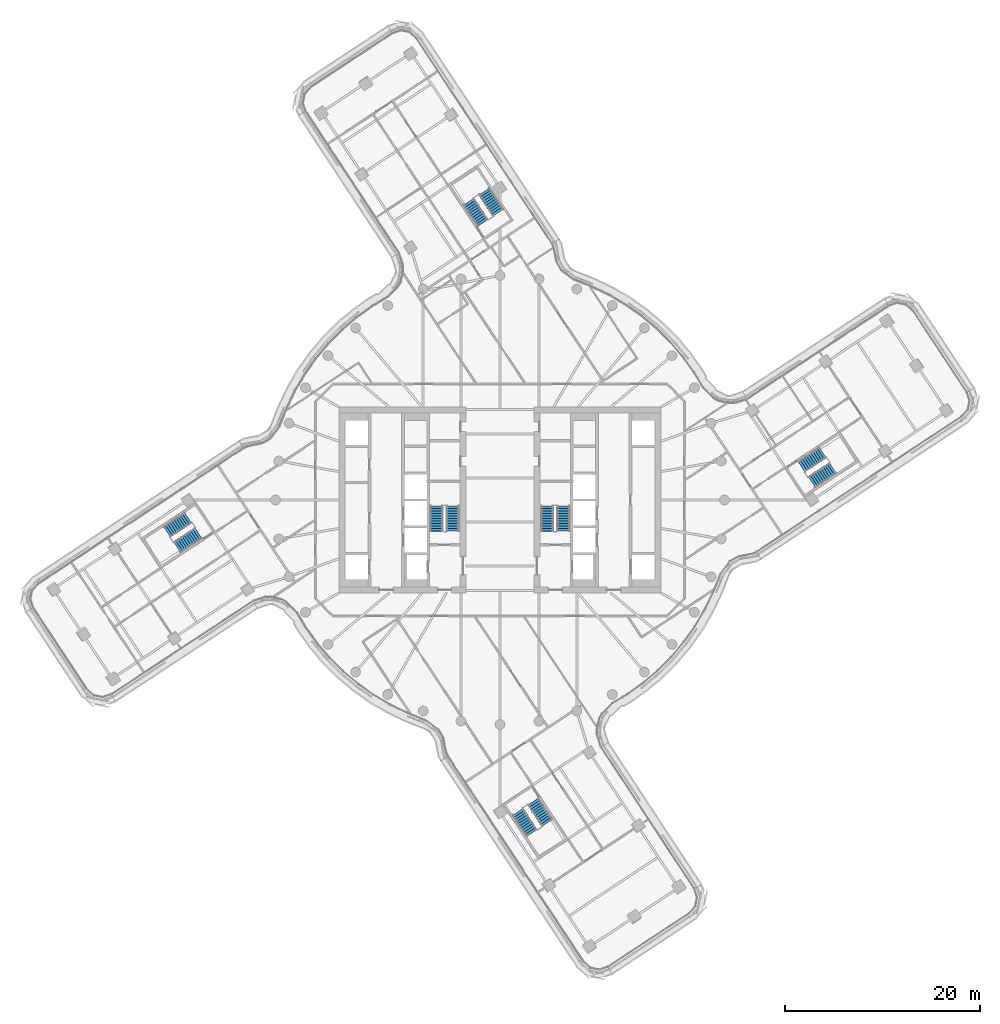
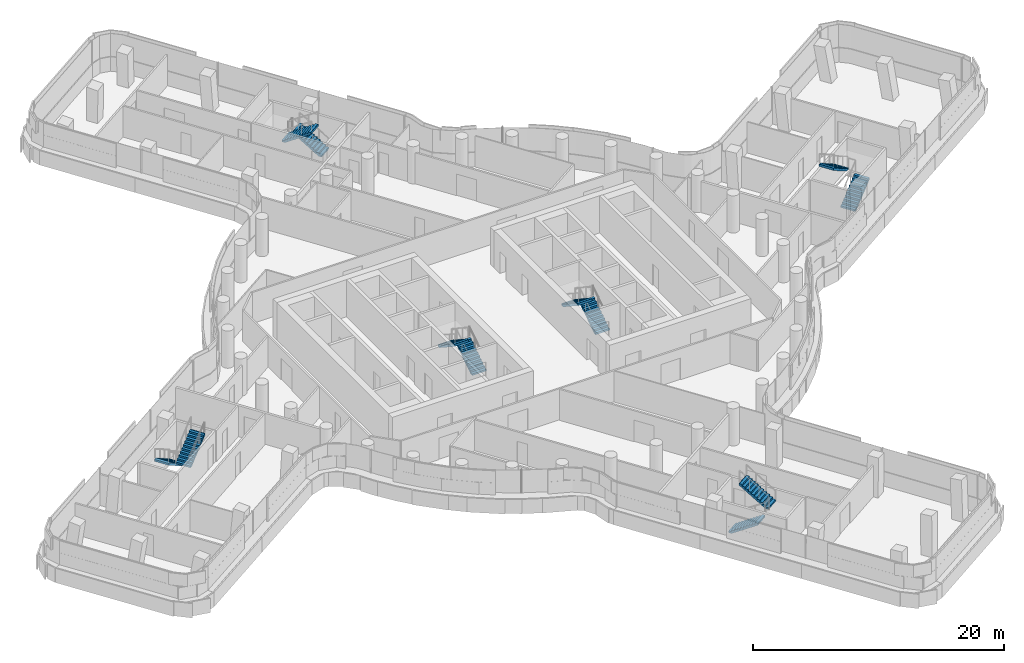
# One storey, part 27 of 35: 12 stair flights, 6 elements without a shape of their own.
"""IFC4 building model written with IfcOpenShell, lengths in metres."""

from ifc_helpers import new_model, si_unit, direction, frame, origin, place, context, subcontext, project, spatial, polyline, outline, extrude, material, type_object, element, aggregate, save


model = new_model("IFC4")

# Units and contexts
model_context = context("Model", 3, precision=1e-05, world=origin(), true_north=direction((0.0, 1.0)))
body_context = subcontext(model_context, "Body", "Model", "MODEL_VIEW")
ifc_project = project(units=[si_unit("LENGTHUNIT", "METRE"), si_unit("AREAUNIT", "SQUARE_METRE"), si_unit("VOLUMEUNIT", "CUBIC_METRE"), si_unit("PLANEANGLEUNIT", "RADIAN"), si_unit("MASSUNIT", "GRAM", prefix="KILO")], contexts=[model_context])

# Site, building, storey
site_placement = place(None, origin())
site = spatial("IfcSite", under=ifc_project, at=site_placement, CompositionType="ELEMENT")
building_placement = place(site_placement, origin())
building = spatial("IfcBuilding", under=site, at=building_placement, Name="Tamarind Cross Interchange Tower", CompositionType="ELEMENT")
storey_placement = place(building_placement, frame((0.0, 0.0, 155.5)))
storey = spatial("IfcBuildingStorey", under=building, at=storey_placement, Name="L38", CompositionType="ELEMENT", Elevation=155.5)

# Stair, stair flights
ifc_material_1 = material(Name="Exit stair")
stair_type = type_object("IfcStairType", Name="Exit stair", PredefinedType="HALF_TURN_STAIR", material=ifc_material_1)
stair_1_placement = place(storey_placement, origin())
stair_1 = element("IfcStair", 1, at=stair_1_placement, inside=storey, type_object=stair_type, Name="L38 exit stair ST1", PredefinedType="HALF_TURN_STAIR")
ifc_material_2 = material(Name="Exit stair flight")
stair_flight_type = type_object("IfcStairFlightType", Name="Exit stair flight", PredefinedType="STRAIGHT", material=ifc_material_2)
stair_flight_1_placement = place(storey_placement, frame((-4.85009765625, -3.199951171875, 0.0), z_axis=(0.0, 0.0, 1.0), x_axis=(0.0, 1.0, 0.0)))
stair_flight_1 = element("IfcStairFlight", 2, at=stair_flight_1_placement, type_object=stair_flight_type, Name="ST1 flight 1", NumberOfRisers=11, NumberOfTreads=10, PredefinedType="STRAIGHT", RiserHeight=0.170454545, TreadLength=0.26, context=body_context, shape_type="SweptSolid", body=[
    extrude(outline(polyline([(0.0, 0.0), (0.0, 0.17041015625), (0.260009765625, 0.17041015625), (0.260009765625, 0.3408203125), (0.52001953125, 0.3408203125), (0.52001953125, 0.511474609375), (0.780029296875, 0.511474609375), (0.780029296875, 0.681884765625), (1.0400390625, 0.681884765625), (1.0400390625, 0.852294921875), (1.300048828125, 0.852294921875), (1.300048828125, 1.022705078125), (1.56005859375, 1.022705078125), (1.56005859375, 1.193115234375), (1.820068359375, 1.193115234375), (1.820068359375, 1.363525390625), (2.080078125, 1.363525390625), (2.080078125, 1.5341796875), (2.340087890625, 1.5341796875), (2.340087890625, 1.70458984375), (2.60009765625, 1.70458984375), (2.60009765625, 1.875), (2.60009765625, 1.525390625), (0.2734375, 0.0), (0.0, 0.0)])), frame((0.0, 0.64990234375, 0.0), z_axis=(0.0, -1.0, 0.0), x_axis=(1.0, 0.0, 0.0)), (0.0, 0.0, 1.0), 1.300048828125),
])
stair_flight_2_placement = place(storey_placement, frame((-6.5, -0.60009765625, 1.875), z_axis=(0.0, 0.0, 1.0), x_axis=(0.0, -1.0, 0.0)))
stair_flight_2 = element("IfcStairFlight", 3, at=stair_flight_2_placement, type_object=stair_flight_type, Name="ST1 flight 2", NumberOfRisers=11, NumberOfTreads=10, PredefinedType="STRAIGHT", RiserHeight=0.170454545, TreadLength=0.26, context=body_context, shape_type="SweptSolid", body=[
    extrude(outline(polyline([(0.0, 0.0), (0.0, 0.17041015625), (0.260009765625, 0.17041015625), (0.260009765625, 0.3408203125), (0.52001953125, 0.3408203125), (0.52001953125, 0.511474609375), (0.780029296875, 0.511474609375), (0.780029296875, 0.681884765625), (1.0400390625, 0.681884765625), (1.0400390625, 0.852294921875), (1.300048828125, 0.852294921875), (1.300048828125, 1.022705078125), (1.56005859375, 1.022705078125), (1.56005859375, 1.193115234375), (1.820068359375, 1.193115234375), (1.820068359375, 1.363525390625), (2.080078125, 1.363525390625), (2.080078125, 1.5341796875), (2.340087890625, 1.5341796875), (2.340087890625, 1.70458984375), (2.60009765625, 1.70458984375), (2.60009765625, 1.7548828125), (2.612060546875, 1.7548828125), (2.612060546875, 1.533203125), (0.2734375, 0.0), (0.0, 0.0)])), frame((0.0, 0.64990234375, 0.0), z_axis=(0.0, -1.0, 0.0), x_axis=(1.0, 0.0, 0.0)), (0.0, 0.0, 1.0), 1.300048828125),
])
aggregate(stair_1, [stair_flight_1, stair_flight_2])

stair_2_placement = place(storey_placement, origin())
stair_2 = element("IfcStair", 4, at=stair_2_placement, inside=storey, type_object=stair_type, Name="L38 exit stair ST2", PredefinedType="HALF_TURN_STAIR")
stair_flight_3_placement = place(storey_placement, frame((6.5, -3.199951171875, 0.0), z_axis=(0.0, 0.0, 1.0), x_axis=(0.0, 1.0, 0.0)))
stair_flight_3 = element("IfcStairFlight", 5, at=stair_flight_3_placement, type_object=stair_flight_type, Name="ST2 flight 1", NumberOfRisers=11, NumberOfTreads=10, PredefinedType="STRAIGHT", RiserHeight=0.170454545, TreadLength=0.26, context=body_context, shape_type="SweptSolid", body=[
    extrude(outline(polyline([(0.0, 0.0), (0.0, 0.17041015625), (0.260009765625, 0.17041015625), (0.260009765625, 0.3408203125), (0.52001953125, 0.3408203125), (0.52001953125, 0.511474609375), (0.780029296875, 0.511474609375), (0.780029296875, 0.681884765625), (1.0400390625, 0.681884765625), (1.0400390625, 0.852294921875), (1.300048828125, 0.852294921875), (1.300048828125, 1.022705078125), (1.56005859375, 1.022705078125), (1.56005859375, 1.193115234375), (1.820068359375, 1.193115234375), (1.820068359375, 1.363525390625), (2.080078125, 1.363525390625), (2.080078125, 1.5341796875), (2.340087890625, 1.5341796875), (2.340087890625, 1.70458984375), (2.60009765625, 1.70458984375), (2.60009765625, 1.875), (2.60009765625, 1.525390625), (0.2734375, 0.0), (0.0, 0.0)])), frame((0.0, 0.64990234375, 0.0), z_axis=(0.0, -1.0, 0.0), x_axis=(1.0, 0.0, 0.0)), (0.0, 0.0, 1.0), 1.300048828125),
])
stair_flight_4_placement = place(storey_placement, frame((4.85009765625, -0.60009765625, 1.875), z_axis=(0.0, 0.0, 1.0), x_axis=(0.0, -1.0, 0.0)))
stair_flight_4 = element("IfcStairFlight", 6, at=stair_flight_4_placement, type_object=stair_flight_type, Name="ST2 flight 2", NumberOfRisers=11, NumberOfTreads=10, PredefinedType="STRAIGHT", RiserHeight=0.170454545, TreadLength=0.26, context=body_context, shape_type="SweptSolid", body=[
    extrude(outline(polyline([(0.0, 0.0), (0.0, 0.17041015625), (0.260009765625, 0.17041015625), (0.260009765625, 0.3408203125), (0.52001953125, 0.3408203125), (0.52001953125, 0.511474609375), (0.780029296875, 0.511474609375), (0.780029296875, 0.681884765625), (1.0400390625, 0.681884765625), (1.0400390625, 0.852294921875), (1.300048828125, 0.852294921875), (1.300048828125, 1.022705078125), (1.56005859375, 1.022705078125), (1.56005859375, 1.193115234375), (1.820068359375, 1.193115234375), (1.820068359375, 1.363525390625), (2.080078125, 1.363525390625), (2.080078125, 1.5341796875), (2.340087890625, 1.5341796875), (2.340087890625, 1.70458984375), (2.60009765625, 1.70458984375), (2.60009765625, 1.7548828125), (2.612060546875, 1.7548828125), (2.612060546875, 1.533203125), (0.2734375, 0.0), (0.0, 0.0)])), frame((0.0, 0.64990234375, 0.0), z_axis=(0.0, -1.0, 0.0), x_axis=(1.0, 0.0, 0.0)), (0.0, 0.0, 1.0), 1.300048828125),
])
aggregate(stair_2, [stair_flight_3, stair_flight_4])

stair_3_placement = place(storey_placement, origin())
stair_3 = element("IfcStair", 7, at=stair_3_placement, inside=storey, type_object=stair_type, Name="L38 exit stair ST3", PredefinedType="HALF_TURN_STAIR")
stair_flight_5_placement = place(storey_placement, frame((31.9375, 1.82763671875, 0.0), z_axis=(0.0, 0.0, 1.0), x_axis=(0.834524900963, 0.550970225759, 0.0)))
stair_flight_5 = element("IfcStairFlight", 8, at=stair_flight_5_placement, type_object=stair_flight_type, Name="ST3 flight 1", NumberOfRisers=11, NumberOfTreads=10, PredefinedType="STRAIGHT", RiserHeight=0.170454545, TreadLength=0.26, context=body_context, shape_type="SweptSolid", body=[
    extrude(outline(polyline([(0.0, 0.0), (0.0, 0.17041015625), (0.260009765625, 0.17041015625), (0.260009765625, 0.3408203125), (0.52001953125, 0.3408203125), (0.52001953125, 0.511474609375), (0.780029296875, 0.511474609375), (0.780029296875, 0.681884765625), (1.0400390625, 0.681884765625), (1.0400390625, 0.852294921875), (1.300048828125, 0.852294921875), (1.300048828125, 1.022705078125), (1.56005859375, 1.022705078125), (1.56005859375, 1.193115234375), (1.820068359375, 1.193115234375), (1.820068359375, 1.363525390625), (2.080078125, 1.363525390625), (2.080078125, 1.5341796875), (2.340087890625, 1.5341796875), (2.340087890625, 1.70458984375), (2.60009765625, 1.70458984375), (2.60009765625, 1.875), (2.60009765625, 1.525390625), (0.2734375, 0.0), (0.0, 0.0)])), frame((0.0, 0.64990234375, 0.0), z_axis=(0.0, -1.0, 0.0), x_axis=(1.0, 0.0, 0.0)), (0.0, 0.0, 1.0), 1.300048828125),
])
stair_flight_6_placement = place(storey_placement, frame((33.060302734375, 4.845703125, 1.875), z_axis=(0.0, 0.0, 1.0), x_axis=(-0.834524900963, -0.550970225759, 0.0)))
stair_flight_6 = element("IfcStairFlight", 9, at=stair_flight_6_placement, type_object=stair_flight_type, Name="ST3 flight 2", NumberOfRisers=11, NumberOfTreads=10, PredefinedType="STRAIGHT", RiserHeight=0.170454545, TreadLength=0.26, context=body_context, shape_type="SweptSolid", body=[
    extrude(outline(polyline([(0.0, 0.0), (0.0, 0.17041015625), (0.260009765625, 0.17041015625), (0.260009765625, 0.3408203125), (0.52001953125, 0.3408203125), (0.52001953125, 0.511474609375), (0.780029296875, 0.511474609375), (0.780029296875, 0.681884765625), (1.0400390625, 0.681884765625), (1.0400390625, 0.852294921875), (1.300048828125, 0.852294921875), (1.300048828125, 1.022705078125), (1.56005859375, 1.022705078125), (1.56005859375, 1.193115234375), (1.820068359375, 1.193115234375), (1.820068359375, 1.363525390625), (2.080078125, 1.363525390625), (2.080078125, 1.5341796875), (2.340087890625, 1.5341796875), (2.340087890625, 1.70458984375), (2.60009765625, 1.70458984375), (2.60009765625, 1.7548828125), (2.612060546875, 1.7548828125), (2.612060546875, 1.533203125), (0.2734375, 0.0), (0.0, 0.0)])), frame((0.0, 0.64990234375, 0.0), z_axis=(0.0, -1.0, 0.0), x_axis=(1.0, 0.0, 0.0)), (0.0, 0.0, 1.0), 1.300048828125),
])
aggregate(stair_3, [stair_flight_5, stair_flight_6])

stair_4_placement = place(storey_placement, origin())
stair_4 = element("IfcStair", 10, at=stair_4_placement, inside=storey, type_object=stair_type, Name="L38 exit stair ST4", PredefinedType="HALF_TURN_STAIR")
stair_flight_7_placement = place(storey_placement, frame((-0.1748046875, 29.433837890625, 0.0), z_axis=(0.0, 0.0, 1.0), x_axis=(-0.550970225759, 0.834524900963, 0.0)))
stair_flight_7 = element("IfcStairFlight", 11, at=stair_flight_7_placement, type_object=stair_flight_type, Name="ST4 flight 1", NumberOfRisers=11, NumberOfTreads=10, PredefinedType="STRAIGHT", RiserHeight=0.170454545, TreadLength=0.26, context=body_context, shape_type="SweptSolid", body=[
    extrude(outline(polyline([(0.0, 0.0), (0.0, 0.17041015625), (0.260009765625, 0.17041015625), (0.260009765625, 0.3408203125), (0.52001953125, 0.3408203125), (0.52001953125, 0.511474609375), (0.780029296875, 0.511474609375), (0.780029296875, 0.681884765625), (1.0400390625, 0.681884765625), (1.0400390625, 0.852294921875), (1.300048828125, 0.852294921875), (1.300048828125, 1.022705078125), (1.56005859375, 1.022705078125), (1.56005859375, 1.193115234375), (1.820068359375, 1.193115234375), (1.820068359375, 1.363525390625), (2.080078125, 1.363525390625), (2.080078125, 1.5341796875), (2.340087890625, 1.5341796875), (2.340087890625, 1.70458984375), (2.60009765625, 1.70458984375), (2.60009765625, 1.875), (2.60009765625, 1.525390625), (0.2734375, 0.0), (0.0, 0.0)])), frame((0.0, 0.64990234375, 0.0), z_axis=(0.0, -1.0, 0.0), x_axis=(1.0, 0.0, 0.0)), (0.0, 0.0, 1.0), 1.300048828125),
])
stair_flight_8_placement = place(storey_placement, frame((-3.19287109375, 30.556640625, 1.875), z_axis=(0.0, 0.0, 1.0), x_axis=(0.550970225759, -0.834524900963, 0.0)))
stair_flight_8 = element("IfcStairFlight", 12, at=stair_flight_8_placement, type_object=stair_flight_type, Name="ST4 flight 2", NumberOfRisers=11, NumberOfTreads=10, PredefinedType="STRAIGHT", RiserHeight=0.170454545, TreadLength=0.26, context=body_context, shape_type="SweptSolid", body=[
    extrude(outline(polyline([(0.0, 0.0), (0.0, 0.17041015625), (0.260009765625, 0.17041015625), (0.260009765625, 0.3408203125), (0.52001953125, 0.3408203125), (0.52001953125, 0.511474609375), (0.780029296875, 0.511474609375), (0.780029296875, 0.681884765625), (1.0400390625, 0.681884765625), (1.0400390625, 0.852294921875), (1.300048828125, 0.852294921875), (1.300048828125, 1.022705078125), (1.56005859375, 1.022705078125), (1.56005859375, 1.193115234375), (1.820068359375, 1.193115234375), (1.820068359375, 1.363525390625), (2.080078125, 1.363525390625), (2.080078125, 1.5341796875), (2.340087890625, 1.5341796875), (2.340087890625, 1.70458984375), (2.60009765625, 1.70458984375), (2.60009765625, 1.7548828125), (2.612060546875, 1.7548828125), (2.612060546875, 1.533203125), (0.2734375, 0.0), (0.0, 0.0)])), frame((0.0, 0.64990234375, 0.0), z_axis=(0.0, -1.0, 0.0), x_axis=(1.0, 0.0, 0.0)), (0.0, 0.0, 1.0), 1.300048828125),
])
aggregate(stair_4, [stair_flight_7, stair_flight_8])

stair_5_placement = place(storey_placement, origin())
stair_5 = element("IfcStair", 13, at=stair_5_placement, inside=storey, type_object=stair_type, Name="L38 exit stair ST5", PredefinedType="HALF_TURN_STAIR")
stair_flight_9_placement = place(storey_placement, frame((-31.9375, -1.82763671875, 0.0), z_axis=(0.0, 0.0, 1.0), x_axis=(-0.834524900963, -0.550970225759, 0.0)))
stair_flight_9 = element("IfcStairFlight", 14, at=stair_flight_9_placement, type_object=stair_flight_type, Name="ST5 flight 1", NumberOfRisers=11, NumberOfTreads=10, PredefinedType="STRAIGHT", RiserHeight=0.170454545, TreadLength=0.26, context=body_context, shape_type="SweptSolid", body=[
    extrude(outline(polyline([(0.0, 0.0), (0.0, 0.17041015625), (0.260009765625, 0.17041015625), (0.260009765625, 0.3408203125), (0.52001953125, 0.3408203125), (0.52001953125, 0.511474609375), (0.780029296875, 0.511474609375), (0.780029296875, 0.681884765625), (1.0400390625, 0.681884765625), (1.0400390625, 0.852294921875), (1.300048828125, 0.852294921875), (1.300048828125, 1.022705078125), (1.56005859375, 1.022705078125), (1.56005859375, 1.193115234375), (1.820068359375, 1.193115234375), (1.820068359375, 1.363525390625), (2.080078125, 1.363525390625), (2.080078125, 1.5341796875), (2.340087890625, 1.5341796875), (2.340087890625, 1.70458984375), (2.60009765625, 1.70458984375), (2.60009765625, 1.875), (2.60009765625, 1.525390625), (0.2734375, 0.0), (0.0, 0.0)])), frame((0.0, 0.64990234375, 0.0), z_axis=(0.0, -1.0, 0.0), x_axis=(1.0, 0.0, 0.0)), (0.0, 0.0, 1.0), 1.300048828125),
])
stair_flight_10_placement = place(storey_placement, frame((-33.060302734375, -4.845703125, 1.875), z_axis=(0.0, 0.0, 1.0), x_axis=(0.834524900963, 0.550970225759, 0.0)))
stair_flight_10 = element("IfcStairFlight", 15, at=stair_flight_10_placement, type_object=stair_flight_type, Name="ST5 flight 2", NumberOfRisers=11, NumberOfTreads=10, PredefinedType="STRAIGHT", RiserHeight=0.170454545, TreadLength=0.26, context=body_context, shape_type="SweptSolid", body=[
    extrude(outline(polyline([(0.0, 0.0), (0.0, 0.17041015625), (0.260009765625, 0.17041015625), (0.260009765625, 0.3408203125), (0.52001953125, 0.3408203125), (0.52001953125, 0.511474609375), (0.780029296875, 0.511474609375), (0.780029296875, 0.681884765625), (1.0400390625, 0.681884765625), (1.0400390625, 0.852294921875), (1.300048828125, 0.852294921875), (1.300048828125, 1.022705078125), (1.56005859375, 1.022705078125), (1.56005859375, 1.193115234375), (1.820068359375, 1.193115234375), (1.820068359375, 1.363525390625), (2.080078125, 1.363525390625), (2.080078125, 1.5341796875), (2.340087890625, 1.5341796875), (2.340087890625, 1.70458984375), (2.60009765625, 1.70458984375), (2.60009765625, 1.7548828125), (2.612060546875, 1.7548828125), (2.612060546875, 1.533203125), (0.2734375, 0.0), (0.0, 0.0)])), frame((0.0, 0.64990234375, 0.0), z_axis=(0.0, -1.0, 0.0), x_axis=(1.0, 0.0, 0.0)), (0.0, 0.0, 1.0), 1.300048828125),
])
aggregate(stair_5, [stair_flight_9, stair_flight_10])

stair_6_placement = place(storey_placement, origin())
stair_6 = element("IfcStair", 16, at=stair_6_placement, inside=storey, type_object=stair_type, Name="L38 exit stair ST6", PredefinedType="HALF_TURN_STAIR")
stair_flight_11_placement = place(storey_placement, frame((1.82763671875, -31.9375, 0.0), z_axis=(0.0, 0.0, 1.0), x_axis=(0.550970225759, -0.834524900963, 0.0)))
stair_flight_11 = element("IfcStairFlight", 17, at=stair_flight_11_placement, type_object=stair_flight_type, Name="ST6 flight 1", NumberOfRisers=11, NumberOfTreads=10, PredefinedType="STRAIGHT", RiserHeight=0.170454545, TreadLength=0.26, context=body_context, shape_type="SweptSolid", body=[
    extrude(outline(polyline([(0.0, 0.0), (0.0, 0.17041015625), (0.260009765625, 0.17041015625), (0.260009765625, 0.3408203125), (0.52001953125, 0.3408203125), (0.52001953125, 0.511474609375), (0.780029296875, 0.511474609375), (0.780029296875, 0.681884765625), (1.0400390625, 0.681884765625), (1.0400390625, 0.852294921875), (1.300048828125, 0.852294921875), (1.300048828125, 1.022705078125), (1.56005859375, 1.022705078125), (1.56005859375, 1.193115234375), (1.820068359375, 1.193115234375), (1.820068359375, 1.363525390625), (2.080078125, 1.363525390625), (2.080078125, 1.5341796875), (2.340087890625, 1.5341796875), (2.340087890625, 1.70458984375), (2.60009765625, 1.70458984375), (2.60009765625, 1.875), (2.60009765625, 1.525390625), (0.2734375, 0.0), (0.0, 0.0)])), frame((0.0, 0.64990234375, 0.0), z_axis=(0.0, -1.0, 0.0), x_axis=(1.0, 0.0, 0.0)), (0.0, 0.0, 1.0), 1.300048828125),
])
stair_flight_12_placement = place(storey_placement, frame((4.845703125, -33.060302734375, 1.875), z_axis=(0.0, 0.0, 1.0), x_axis=(-0.550970225759, 0.834524900963, 0.0)))
stair_flight_12 = element("IfcStairFlight", 18, at=stair_flight_12_placement, type_object=stair_flight_type, Name="ST6 flight 2", NumberOfRisers=11, NumberOfTreads=10, PredefinedType="STRAIGHT", RiserHeight=0.170454545, TreadLength=0.26, context=body_context, shape_type="SweptSolid", body=[
    extrude(outline(polyline([(0.0, 0.0), (0.0, 0.17041015625), (0.260009765625, 0.17041015625), (0.260009765625, 0.3408203125), (0.52001953125, 0.3408203125), (0.52001953125, 0.511474609375), (0.780029296875, 0.511474609375), (0.780029296875, 0.681884765625), (1.0400390625, 0.681884765625), (1.0400390625, 0.852294921875), (1.300048828125, 0.852294921875), (1.300048828125, 1.022705078125), (1.56005859375, 1.022705078125), (1.56005859375, 1.193115234375), (1.820068359375, 1.193115234375), (1.820068359375, 1.363525390625), (2.080078125, 1.363525390625), (2.080078125, 1.5341796875), (2.340087890625, 1.5341796875), (2.340087890625, 1.70458984375), (2.60009765625, 1.70458984375), (2.60009765625, 1.7548828125), (2.612060546875, 1.7548828125), (2.612060546875, 1.533203125), (0.2734375, 0.0), (0.0, 0.0)])), frame((0.0, 0.64990234375, 0.0), z_axis=(0.0, -1.0, 0.0), x_axis=(1.0, 0.0, 0.0)), (0.0, 0.0, 1.0), 1.300048828125),
])
aggregate(stair_6, [stair_flight_11, stair_flight_12])

save(model, "model.ifc")
